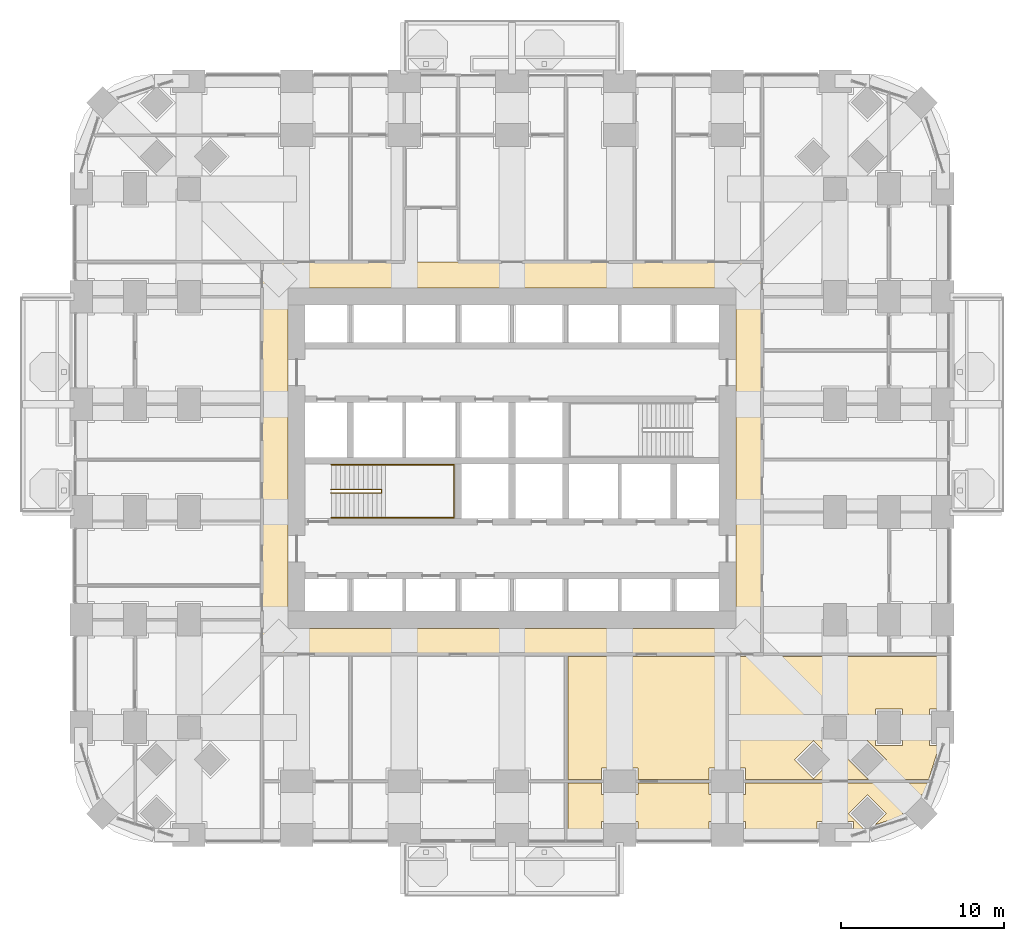
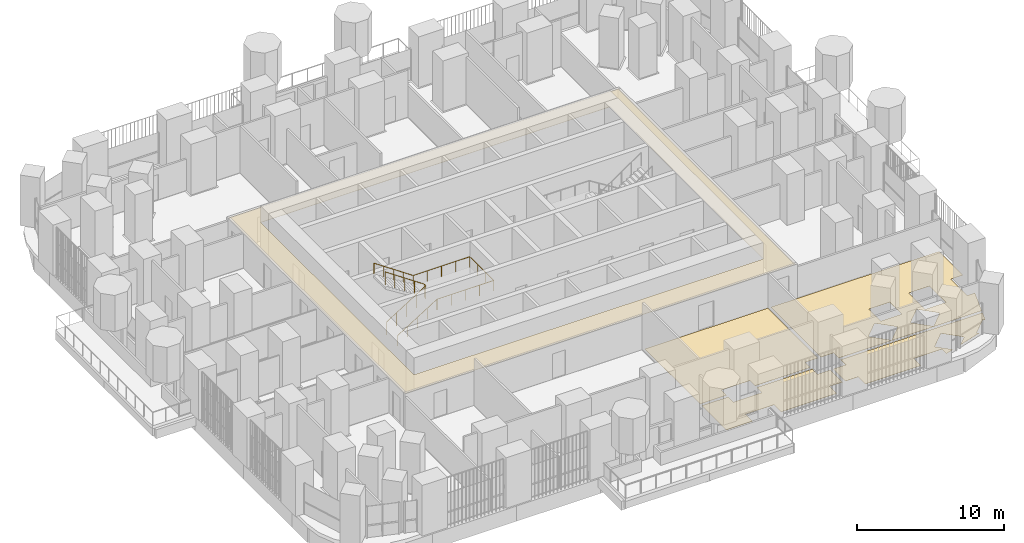
# One storey, part 22 of 25: 5 coverings, 2 railings.
"""IFC4 building model written with IfcOpenShell, lengths in metres."""

from ifc_helpers import new_model, si_unit, direction, frame, origin, place, context, subcontext, project, spatial, polyline, outline, extrude, material, layer, layer_set, type_object, element, save


model = new_model("IFC4")

# Units and contexts
model_context = context("Model", 3, precision=1e-05, world=origin(), true_north=direction((0.0, 1.0)))
body_context = subcontext(model_context, "Body", "Model", "MODEL_VIEW")
ifc_project = project(units=[si_unit("LENGTHUNIT", "METRE"), si_unit("AREAUNIT", "SQUARE_METRE"), si_unit("VOLUMEUNIT", "CUBIC_METRE"), si_unit("PLANEANGLEUNIT", "RADIAN"), si_unit("MASSUNIT", "GRAM", prefix="KILO")], contexts=[model_context])

# Site, building, storey
site_placement = place(None, origin())
site = spatial("IfcSite", under=ifc_project, at=site_placement, CompositionType="ELEMENT")
building_placement = place(site_placement, origin())
building = spatial("IfcBuilding", under=site, at=building_placement, Name="Cobogo Forest Laboratory Tower", CompositionType="ELEMENT")
storey_placement = place(building_placement, frame((0.0, 0.0, 67.5)))
storey = spatial("IfcBuildingStorey", under=building, at=storey_placement, Name="L15", CompositionType="ELEMENT", Elevation=67.5)

# Coverings
ifc_material_1 = material(Name="Mineral fibre ceiling tile", Category="ceiling")
ifc_layer_1 = layer(ifc_material_1, 0.02001953125)
ifc_layer_set_1 = layer_set([ifc_layer_1], Name="CL1 suspended ceiling")
covering_type_1 = type_object("IfcCoveringType", Name="CL1 suspended ceiling", PredefinedType="CEILING", material=ifc_layer_set_1)
covering_1_placement = place(storey_placement, frame((0.0, 0.0, 2.800048828125)))
element("IfcCovering", 1, at=covering_1_placement, inside=storey, type_object=covering_type_1, Name="Corridor ceiling L15", PredefinedType="CEILING", context=body_context, shape_type="SweptSolid", body=[
    extrude(outline(polyline([(11.074951171875, 11.074951171875), (11.074951171875, 35.125), (41.72509765625, 35.125), (41.72509765625, 11.074951171875), (11.074951171875, 11.074951171875)]), holes=[polyline([(40.125, 33.52490234375), (12.675048828125, 33.52490234375), (12.675048828125, 12.675048828125), (40.125, 12.675048828125), (40.125, 33.52490234375)])]), origin(), (0.0, 0.0, 1.0), 0.02001953125),
])
ifc_material_2 = material(Name="Carpet tile on raised access floor", Category="flooring")
ifc_layer_2 = layer(ifc_material_2, 0.008056640625)
ifc_layer_set_2 = layer_set([ifc_layer_2], Name="CT1 carpet tile floor 8")
covering_type_2 = type_object("IfcCoveringType", Name="CT1 carpet tile floor 8", PredefinedType="FLOORING", material=ifc_layer_set_2)
covering_2_placement = place(storey_placement, origin())
element("IfcCovering", 2, at=covering_2_placement, inside=storey, type_object=covering_type_2, Name="Carpet floor L15-06", PredefinedType="FLOORING", context=body_context, shape_type="SweptSolid", body=[
    extrude(outline(polyline([(31.8798828125, 3.179931640625), (31.8798828125, 2.47998046875), (34.1201171875, 2.47998046875), (34.1201171875, 3.179931640625), (38.47998046875, 3.179931640625), (38.47998046875, 2.47998046875), (39.47998046875, 2.47998046875), (39.47998046875, 0.820068359375), (38.47998046875, 0.820068359375), (38.47998046875, -0.14990234375), (34.1201171875, -0.14990234375), (34.1201171875, 0.820068359375), (31.8798828125, 0.820068359375), (31.8798828125, -0.14990234375), (29.820068359375, -0.14990234375), (29.820068359375, 3.179931640625), (31.8798828125, 3.179931640625)])), origin(), (0.0, 0.0, 1.0), 0.008056640625),
])
covering_3_placement = place(storey_placement, origin())
element("IfcCovering", 3, at=covering_3_placement, inside=storey, type_object=covering_type_2, Name="Carpet floor L15-08", PredefinedType="FLOORING", context=body_context, shape_type="SweptSolid", body=[
    extrude(outline(polyline([(51.8603515625, 3.179931640625), (51.600830078125, 2.358642578125), (51.48193359375, 2.477783203125), (50.322265625, 1.318115234375), (50.441162109375, 1.19921875), (48.660400390625, 0.63671875), (49.341552734375, 1.318115234375), (48.181884765625, 2.477783203125), (47.022216796875, 1.318115234375), (47.933349609375, 0.406982421875), (47.320068359375, 0.21337890625), (47.320068359375, 0.820068359375), (45.080078125, 0.820068359375), (45.080078125, -0.14990234375), (40.719970703125, -0.14990234375), (40.719970703125, 0.820068359375), (39.719970703125, 0.820068359375), (39.719970703125, 2.47998046875), (40.719970703125, 2.47998046875), (40.719970703125, 3.179931640625), (51.8603515625, 3.179931640625)])), origin(), (0.0, 0.0, 1.0), 0.008056640625),
])

# Railings
ifc_material_3 = material(Name="Steel balustrade", Category="steel")
railing_type_1 = type_object("IfcRailingType", Name="GR stair guard 1100", PredefinedType="GUARDRAIL", material=ifc_material_3)
railing_1_placement = place(storey_placement, frame((15.324951171875, 20.969970703125, 0.175048828125)))
element("IfcRailing", 4, at=railing_1_placement, inside=storey, type_object=railing_type_1, Name="Stair guard ST1 L15", PredefinedType="GUARDRAIL", context=body_context, shape_type="SweptSolid", body=[
    extrude(outline(polyline([(0.022216796875, 0.00927734375), (0.00927734375, 0.022216796875), (-0.00927734375, 0.022216796875), (-0.022216796875, 0.00927734375), (-0.022216796875, -0.00927734375), (-0.00927734375, -0.022216796875), (0.00927734375, -0.022216796875), (0.022216796875, -0.00927734375), (0.022216796875, 0.00927734375)])), frame((0.0, 0.0, 1.077880859375), z_axis=(0.847998304005, 0.0, 0.529998940003), x_axis=(0.0, 1.0, 0.0)), (0.0, 0.0, 1.0), 3.632080078125),
    extrude(outline(polyline([(0.022216796875, 0.00927734375), (0.00927734375, 0.022216796875), (-0.00927734375, 0.022216796875), (-0.022216796875, 0.00927734375), (-0.022216796875, -0.00927734375), (-0.00927734375, -0.022216796875), (0.00927734375, -0.022216796875), (0.022216796875, -0.00927734375), (0.022216796875, 0.00927734375)])), frame((3.080078125, 0.0, 3.0029296875), z_axis=(0.0, 1.0, 0.0), x_axis=(-1.0, 0.0, 0.0)), (0.0, 0.0, 1.0), 0.2099609375),
    extrude(outline(polyline([(0.022216796875, 0.00927734375), (0.00927734375, 0.022216796875), (-0.00927734375, 0.022216796875), (-0.022216796875, 0.00927734375), (-0.022216796875, -0.00927734375), (-0.00927734375, -0.022216796875), (0.00927734375, -0.022216796875), (0.022216796875, -0.00927734375), (0.022216796875, 0.00927734375)])), frame((3.080078125, 0.2099609375, 3.0029296875), z_axis=(-0.826252282691, 0.0, 0.563300244406), x_axis=(0.0, -1.0, 0.0)), (0.0, 0.0, 1.0), 3.727783203125),
    extrude(outline(polyline([(0.019287109375, 0.008056640625), (0.008056640625, 0.019287109375), (-0.008056640625, 0.019287109375), (-0.019287109375, 0.008056640625), (-0.019287109375, -0.008056640625), (-0.008056640625, -0.019287109375), (0.008056640625, -0.019287109375), (0.019287109375, -0.008056640625), (0.019287109375, 0.008056640625)])), origin(), (0.0, 0.0, 1.0), 1.077880859375),
    extrude(outline(polyline([(0.019287109375, 0.008056640625), (0.008056640625, 0.019287109375), (-0.008056640625, 0.019287109375), (-0.019287109375, 0.008056640625), (-0.019287109375, -0.008056640625), (-0.008056640625, -0.019287109375), (0.008056640625, -0.019287109375), (0.019287109375, -0.008056640625), (0.019287109375, 0.008056640625)])), frame((0.77001953125, 0.0, 0.481201171875)), (0.0, 0.0, 1.0), 1.077880859375),
    extrude(outline(polyline([(0.019287109375, 0.008056640625), (0.008056640625, 0.019287109375), (-0.008056640625, 0.019287109375), (-0.019287109375, 0.008056640625), (-0.019287109375, -0.008056640625), (-0.008056640625, -0.019287109375), (0.008056640625, -0.019287109375), (0.019287109375, -0.008056640625), (0.019287109375, 0.008056640625)])), frame((1.5400390625, 0.0, 0.96240234375)), (0.0, 0.0, 1.0), 1.077880859375),
    extrude(outline(polyline([(0.019287109375, 0.008056640625), (0.008056640625, 0.019287109375), (-0.008056640625, 0.019287109375), (-0.019287109375, 0.008056640625), (-0.019287109375, -0.008056640625), (-0.008056640625, -0.019287109375), (0.008056640625, -0.019287109375), (0.019287109375, -0.008056640625), (0.019287109375, 0.008056640625)])), frame((2.31005859375, 0.0, 1.44384765625)), (0.0, 0.0, 1.0), 1.077880859375),
    extrude(outline(polyline([(0.019287109375, 0.008056640625), (0.008056640625, 0.019287109375), (-0.008056640625, 0.019287109375), (-0.019287109375, 0.008056640625), (-0.019287109375, -0.008056640625), (-0.008056640625, -0.019287109375), (0.008056640625, -0.019287109375), (0.019287109375, -0.008056640625), (0.019287109375, 0.008056640625)])), frame((3.080078125, 0.0, 1.925048828125)), (0.0, 0.0, 1.0), 1.077880859375),
    extrude(outline(polyline([(0.019287109375, 0.008056640625), (0.008056640625, 0.019287109375), (-0.008056640625, 0.019287109375), (-0.019287109375, 0.008056640625), (-0.019287109375, -0.008056640625), (-0.008056640625, -0.019287109375), (0.008056640625, -0.019287109375), (0.019287109375, -0.008056640625), (0.019287109375, 0.008056640625)])), frame((3.080078125, 0.2099609375, 1.925048828125)), (0.0, 0.0, 1.0), 1.077880859375),
    extrude(outline(polyline([(0.019287109375, 0.008056640625), (0.008056640625, 0.019287109375), (-0.008056640625, 0.019287109375), (-0.019287109375, 0.008056640625), (-0.019287109375, -0.008056640625), (-0.008056640625, -0.019287109375), (0.008056640625, -0.019287109375), (0.019287109375, -0.008056640625), (0.019287109375, 0.008056640625)])), frame((2.31005859375, 0.2099609375, 2.449951171875)), (0.0, 0.0, 1.0), 1.077880859375),
    extrude(outline(polyline([(0.019287109375, 0.008056640625), (0.008056640625, 0.019287109375), (-0.008056640625, 0.019287109375), (-0.019287109375, 0.008056640625), (-0.019287109375, -0.008056640625), (-0.008056640625, -0.019287109375), (0.008056640625, -0.019287109375), (0.019287109375, -0.008056640625), (0.019287109375, 0.008056640625)])), frame((1.5400390625, 0.2099609375, 2.97509765625)), (0.0, 0.0, 1.0), 1.077880859375),
    extrude(outline(polyline([(0.019287109375, 0.008056640625), (0.008056640625, 0.019287109375), (-0.008056640625, 0.019287109375), (-0.019287109375, 0.008056640625), (-0.019287109375, -0.008056640625), (-0.008056640625, -0.019287109375), (0.008056640625, -0.019287109375), (0.019287109375, -0.008056640625), (0.019287109375, 0.008056640625)])), frame((0.77001953125, 0.2099609375, 3.5)), (0.0, 0.0, 1.0), 1.077880859375),
    extrude(outline(polyline([(0.019287109375, 0.008056640625), (0.008056640625, 0.019287109375), (-0.008056640625, 0.019287109375), (-0.019287109375, 0.008056640625), (-0.019287109375, -0.008056640625), (-0.008056640625, -0.019287109375), (0.008056640625, -0.019287109375), (0.019287109375, -0.008056640625), (0.019287109375, 0.008056640625)])), frame((0.0, 0.2099609375, 4.02490234375)), (0.0, 0.0, 1.0), 1.077880859375),
])
ifc_material_4 = material(Name="Stainless steel handrail", Category="steel")
railing_type_2 = type_object("IfcRailingType", Name="HR handrail 900", PredefinedType="HANDRAIL", material=ifc_material_4)
railing_2_placement = place(storey_placement, frame((15.324951171875, 19.449951171875, 0.175048828125)))
element("IfcRailing", 5, at=railing_2_placement, inside=storey, type_object=railing_type_2, Name="Stair handrail ST1 L15", PredefinedType="HANDRAIL", context=body_context, shape_type="SweptSolid", body=[
    extrude(outline(polyline([(0.022216796875, 0.00927734375), (0.00927734375, 0.022216796875), (-0.00927734375, 0.022216796875), (-0.022216796875, 0.00927734375), (-0.022216796875, -0.00927734375), (-0.00927734375, -0.022216796875), (0.00927734375, -0.022216796875), (0.022216796875, -0.00927734375), (0.022216796875, 0.00927734375)])), frame((0.0, 0.0, 0.877685546875), z_axis=(0.847998304005, 0.0, 0.529998940003), x_axis=(0.0, 1.0, 0.0)), (0.0, 0.0, 1.0), 3.632080078125),
    extrude(outline(polyline([(0.022216796875, 0.00927734375), (0.00927734375, 0.022216796875), (-0.00927734375, 0.022216796875), (-0.022216796875, 0.00927734375), (-0.022216796875, -0.00927734375), (-0.00927734375, -0.022216796875), (0.00927734375, -0.022216796875), (0.022216796875, -0.00927734375), (0.022216796875, 0.00927734375)])), frame((3.080078125, 0.0, 2.802734375), z_axis=(1.0, 0.0, 0.0), x_axis=(0.0, 1.0, 0.0)), (0.0, 0.0, 1.0), 4.445068359375),
    extrude(outline(polyline([(0.022216796875, 0.00927734375), (0.00927734375, 0.022216796875), (-0.00927734375, 0.022216796875), (-0.022216796875, 0.00927734375), (-0.022216796875, -0.00927734375), (-0.00927734375, -0.022216796875), (0.00927734375, -0.022216796875), (0.022216796875, -0.00927734375), (0.022216796875, 0.00927734375)])), frame((7.525146484375, 0.0, 2.802734375), z_axis=(0.0, 1.0, 0.0), x_axis=(-1.0, 0.0, 0.0)), (0.0, 0.0, 1.0), 3.25),
    extrude(outline(polyline([(0.022216796875, 0.00927734375), (0.00927734375, 0.022216796875), (-0.00927734375, 0.022216796875), (-0.022216796875, 0.00927734375), (-0.022216796875, -0.00927734375), (-0.00927734375, -0.022216796875), (0.00927734375, -0.022216796875), (0.022216796875, -0.00927734375), (0.022216796875, 0.00927734375)])), frame((7.525146484375, 3.25, 2.802734375), z_axis=(-1.0, 0.0, 0.0), x_axis=(0.0, -1.0, 0.0)), (0.0, 0.0, 1.0), 4.445068359375),
    extrude(outline(polyline([(0.022216796875, 0.00927734375), (0.00927734375, 0.022216796875), (-0.00927734375, 0.022216796875), (-0.022216796875, 0.00927734375), (-0.022216796875, -0.00927734375), (-0.00927734375, -0.022216796875), (0.00927734375, -0.022216796875), (0.022216796875, -0.00927734375), (0.022216796875, 0.00927734375)])), frame((3.080078125, 3.25, 2.802734375), z_axis=(-0.826252282691, 0.0, 0.563300244406), x_axis=(0.0, -1.0, 0.0)), (0.0, 0.0, 1.0), 3.727783203125),
    extrude(outline(polyline([(0.019287109375, 0.008056640625), (0.008056640625, 0.019287109375), (-0.008056640625, 0.019287109375), (-0.019287109375, 0.008056640625), (-0.019287109375, -0.008056640625), (-0.008056640625, -0.019287109375), (0.008056640625, -0.019287109375), (0.019287109375, -0.008056640625), (0.019287109375, 0.008056640625)])), origin(), (0.0, 0.0, 1.0), 0.877685546875),
    extrude(outline(polyline([(0.019287109375, 0.008056640625), (0.008056640625, 0.019287109375), (-0.008056640625, 0.019287109375), (-0.019287109375, 0.008056640625), (-0.019287109375, -0.008056640625), (-0.008056640625, -0.019287109375), (0.008056640625, -0.019287109375), (0.019287109375, -0.008056640625), (0.019287109375, 0.008056640625)])), frame((0.77001953125, 0.0, 0.481201171875)), (0.0, 0.0, 1.0), 0.877685546875),
    extrude(outline(polyline([(0.019287109375, 0.008056640625), (0.008056640625, 0.019287109375), (-0.008056640625, 0.019287109375), (-0.019287109375, 0.008056640625), (-0.019287109375, -0.008056640625), (-0.008056640625, -0.019287109375), (0.008056640625, -0.019287109375), (0.019287109375, -0.008056640625), (0.019287109375, 0.008056640625)])), frame((1.5400390625, 0.0, 0.96240234375)), (0.0, 0.0, 1.0), 0.877685546875),
    extrude(outline(polyline([(0.019287109375, 0.008056640625), (0.008056640625, 0.019287109375), (-0.008056640625, 0.019287109375), (-0.019287109375, 0.008056640625), (-0.019287109375, -0.008056640625), (-0.008056640625, -0.019287109375), (0.008056640625, -0.019287109375), (0.019287109375, -0.008056640625), (0.019287109375, 0.008056640625)])), frame((2.31005859375, 0.0, 1.44384765625)), (0.0, 0.0, 1.0), 0.877685546875),
    extrude(outline(polyline([(0.019287109375, 0.008056640625), (0.008056640625, 0.019287109375), (-0.008056640625, 0.019287109375), (-0.019287109375, 0.008056640625), (-0.019287109375, -0.008056640625), (-0.008056640625, -0.019287109375), (0.008056640625, -0.019287109375), (0.019287109375, -0.008056640625), (0.019287109375, 0.008056640625)])), frame((3.080078125, 0.0, 1.925048828125)), (0.0, 0.0, 1.0), 0.877685546875),
    extrude(outline(polyline([(0.019287109375, 0.008056640625), (0.008056640625, 0.019287109375), (-0.008056640625, 0.019287109375), (-0.019287109375, 0.008056640625), (-0.019287109375, -0.008056640625), (-0.008056640625, -0.019287109375), (0.008056640625, -0.019287109375), (0.019287109375, -0.008056640625), (0.019287109375, 0.008056640625)])), frame((4.19140625, 0.0, 1.925048828125)), (0.0, 0.0, 1.0), 0.877685546875),
    extrude(outline(polyline([(0.019287109375, 0.008056640625), (0.008056640625, 0.019287109375), (-0.008056640625, 0.019287109375), (-0.019287109375, 0.008056640625), (-0.019287109375, -0.008056640625), (-0.008056640625, -0.019287109375), (0.008056640625, -0.019287109375), (0.019287109375, -0.008056640625), (0.019287109375, 0.008056640625)])), frame((5.302734375, 0.0, 1.925048828125)), (0.0, 0.0, 1.0), 0.877685546875),
    extrude(outline(polyline([(0.019287109375, 0.008056640625), (0.008056640625, 0.019287109375), (-0.008056640625, 0.019287109375), (-0.019287109375, 0.008056640625), (-0.019287109375, -0.008056640625), (-0.008056640625, -0.019287109375), (0.008056640625, -0.019287109375), (0.019287109375, -0.008056640625), (0.019287109375, 0.008056640625)])), frame((6.413818359375, 0.0, 1.925048828125)), (0.0, 0.0, 1.0), 0.877685546875),
    extrude(outline(polyline([(0.019287109375, 0.008056640625), (0.008056640625, 0.019287109375), (-0.008056640625, 0.019287109375), (-0.019287109375, 0.008056640625), (-0.019287109375, -0.008056640625), (-0.008056640625, -0.019287109375), (0.008056640625, -0.019287109375), (0.019287109375, -0.008056640625), (0.019287109375, 0.008056640625)])), frame((7.525146484375, 0.0, 1.925048828125)), (0.0, 0.0, 1.0), 0.877685546875),
    extrude(outline(polyline([(0.019287109375, 0.008056640625), (0.008056640625, 0.019287109375), (-0.008056640625, 0.019287109375), (-0.019287109375, 0.008056640625), (-0.019287109375, -0.008056640625), (-0.008056640625, -0.019287109375), (0.008056640625, -0.019287109375), (0.019287109375, -0.008056640625), (0.019287109375, 0.008056640625)])), frame((7.525146484375, 1.083251953125, 1.925048828125)), (0.0, 0.0, 1.0), 0.877685546875),
    extrude(outline(polyline([(0.019287109375, 0.008056640625), (0.008056640625, 0.019287109375), (-0.008056640625, 0.019287109375), (-0.019287109375, 0.008056640625), (-0.019287109375, -0.008056640625), (-0.008056640625, -0.019287109375), (0.008056640625, -0.019287109375), (0.019287109375, -0.008056640625), (0.019287109375, 0.008056640625)])), frame((7.525146484375, 2.166748046875, 1.925048828125)), (0.0, 0.0, 1.0), 0.877685546875),
    extrude(outline(polyline([(0.019287109375, 0.008056640625), (0.008056640625, 0.019287109375), (-0.008056640625, 0.019287109375), (-0.019287109375, 0.008056640625), (-0.019287109375, -0.008056640625), (-0.008056640625, -0.019287109375), (0.008056640625, -0.019287109375), (0.019287109375, -0.008056640625), (0.019287109375, 0.008056640625)])), frame((7.525146484375, 3.25, 1.925048828125)), (0.0, 0.0, 1.0), 0.877685546875),
    extrude(outline(polyline([(0.019287109375, 0.008056640625), (0.008056640625, 0.019287109375), (-0.008056640625, 0.019287109375), (-0.019287109375, 0.008056640625), (-0.019287109375, -0.008056640625), (-0.008056640625, -0.019287109375), (0.008056640625, -0.019287109375), (0.019287109375, -0.008056640625), (0.019287109375, 0.008056640625)])), frame((6.413818359375, 3.25, 1.925048828125)), (0.0, 0.0, 1.0), 0.877685546875),
    extrude(outline(polyline([(0.019287109375, 0.008056640625), (0.008056640625, 0.019287109375), (-0.008056640625, 0.019287109375), (-0.019287109375, 0.008056640625), (-0.019287109375, -0.008056640625), (-0.008056640625, -0.019287109375), (0.008056640625, -0.019287109375), (0.019287109375, -0.008056640625), (0.019287109375, 0.008056640625)])), frame((5.302734375, 3.25, 1.925048828125)), (0.0, 0.0, 1.0), 0.877685546875),
    extrude(outline(polyline([(0.019287109375, 0.008056640625), (0.008056640625, 0.019287109375), (-0.008056640625, 0.019287109375), (-0.019287109375, 0.008056640625), (-0.019287109375, -0.008056640625), (-0.008056640625, -0.019287109375), (0.008056640625, -0.019287109375), (0.019287109375, -0.008056640625), (0.019287109375, 0.008056640625)])), frame((4.19140625, 3.25, 1.925048828125)), (0.0, 0.0, 1.0), 0.877685546875),
    extrude(outline(polyline([(0.019287109375, 0.008056640625), (0.008056640625, 0.019287109375), (-0.008056640625, 0.019287109375), (-0.019287109375, 0.008056640625), (-0.019287109375, -0.008056640625), (-0.008056640625, -0.019287109375), (0.008056640625, -0.019287109375), (0.019287109375, -0.008056640625), (0.019287109375, 0.008056640625)])), frame((3.080078125, 3.25, 1.925048828125)), (0.0, 0.0, 1.0), 0.877685546875),
    extrude(outline(polyline([(0.019287109375, 0.008056640625), (0.008056640625, 0.019287109375), (-0.008056640625, 0.019287109375), (-0.019287109375, 0.008056640625), (-0.019287109375, -0.008056640625), (-0.008056640625, -0.019287109375), (0.008056640625, -0.019287109375), (0.019287109375, -0.008056640625), (0.019287109375, 0.008056640625)])), frame((2.31005859375, 3.25, 2.449951171875)), (0.0, 0.0, 1.0), 0.877685546875),
    extrude(outline(polyline([(0.019287109375, 0.008056640625), (0.008056640625, 0.019287109375), (-0.008056640625, 0.019287109375), (-0.019287109375, 0.008056640625), (-0.019287109375, -0.008056640625), (-0.008056640625, -0.019287109375), (0.008056640625, -0.019287109375), (0.019287109375, -0.008056640625), (0.019287109375, 0.008056640625)])), frame((1.5400390625, 3.25, 2.97509765625)), (0.0, 0.0, 1.0), 0.877685546875),
    extrude(outline(polyline([(0.019287109375, 0.008056640625), (0.008056640625, 0.019287109375), (-0.008056640625, 0.019287109375), (-0.019287109375, 0.008056640625), (-0.019287109375, -0.008056640625), (-0.008056640625, -0.019287109375), (0.008056640625, -0.019287109375), (0.019287109375, -0.008056640625), (0.019287109375, 0.008056640625)])), frame((0.77001953125, 3.25, 3.5)), (0.0, 0.0, 1.0), 0.877685546875),
    extrude(outline(polyline([(0.019287109375, 0.008056640625), (0.008056640625, 0.019287109375), (-0.008056640625, 0.019287109375), (-0.019287109375, 0.008056640625), (-0.019287109375, -0.008056640625), (-0.008056640625, -0.019287109375), (0.008056640625, -0.019287109375), (0.019287109375, -0.008056640625), (0.019287109375, 0.008056640625)])), frame((0.0, 3.25, 4.02490234375)), (0.0, 0.0, 1.0), 0.877685546875),
])

# Coverings
ifc_material_5 = material(Name="Epoxy resin flooring", Category="flooring")
ifc_layer_3 = layer(ifc_material_5, 0.00390625)
ifc_layer_set_3 = layer_set([ifc_layer_3], Name="LF1 epoxy laboratory floor 4")
covering_type_3 = type_object("IfcCoveringType", Name="LF1 epoxy laboratory floor 4", PredefinedType="FLOORING", material=ifc_layer_set_3)
covering_4_placement = place(storey_placement, origin())
element("IfcCovering", 6, at=covering_4_placement, inside=storey, type_object=covering_type_3, Name="Epoxy laboratory floor L15-05", PredefinedType="FLOORING", context=body_context, shape_type="SweptSolid", body=[
    extrude(outline(polyline([(29.820068359375, 10.955078125), (39.47998046875, 10.955078125), (39.47998046875, 4.1201171875), (38.47998046875, 4.1201171875), (38.47998046875, 3.419921875), (34.1201171875, 3.419921875), (34.1201171875, 4.1201171875), (31.8798828125, 4.1201171875), (31.8798828125, 3.419921875), (29.820068359375, 3.419921875), (29.820068359375, 10.955078125)])), origin(), (0.0, 0.0, 1.0), 0.00390625),
])
covering_5_placement = place(storey_placement, origin())
element("IfcCovering", 7, at=covering_5_placement, inside=storey, type_object=covering_type_3, Name="Epoxy laboratory floor L15-07", PredefinedType="FLOORING", context=body_context, shape_type="SweptSolid", body=[
    extrude(outline(polyline([(39.719970703125, 10.955078125), (52.949951171875, 10.955078125), (52.949951171875, 7.719970703125), (51.97998046875, 7.719970703125), (51.97998046875, 5.47998046875), (52.586669921875, 5.47998046875), (51.93603515625, 3.419921875), (40.719970703125, 3.419921875), (40.719970703125, 4.1201171875), (39.719970703125, 4.1201171875), (39.719970703125, 10.955078125)]), holes=[polyline([(48.679931640625, 5.47998046875), (50.320068359375, 5.47998046875), (50.320068359375, 7.719970703125), (48.679931640625, 7.719970703125), (48.679931640625, 5.47998046875)]), polyline([(48.181884765625, 5.777587890625), (47.022216796875, 4.617919921875), (48.181884765625, 3.458251953125), (49.341552734375, 4.617919921875), (48.181884765625, 5.777587890625)]), polyline([(45.3798828125, 7.419921875), (45.3798828125, 5.780029296875), (47.02001953125, 5.780029296875), (47.02001953125, 7.419921875), (45.3798828125, 7.419921875)]), polyline([(44.882080078125, 5.777587890625), (43.722412109375, 4.617919921875), (44.882080078125, 3.458251953125), (46.041748046875, 4.617919921875), (44.882080078125, 5.777587890625)])]), origin(), (0.0, 0.0, 1.0), 0.00390625),
])

save(model, "model.ifc")
